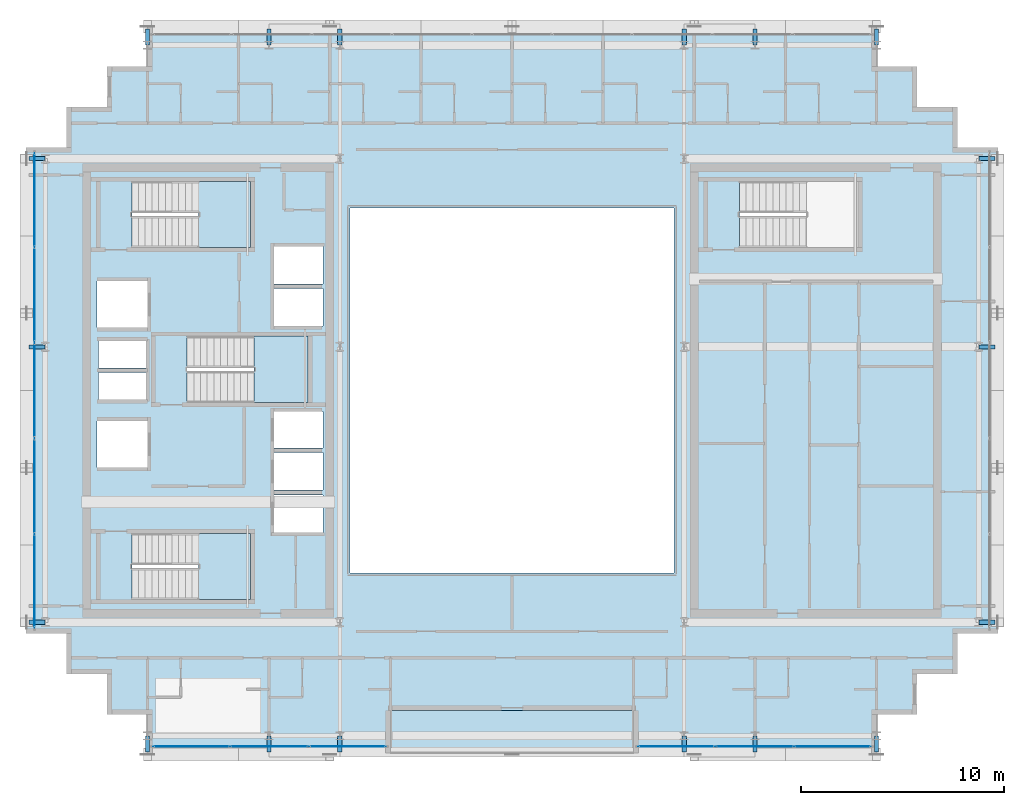
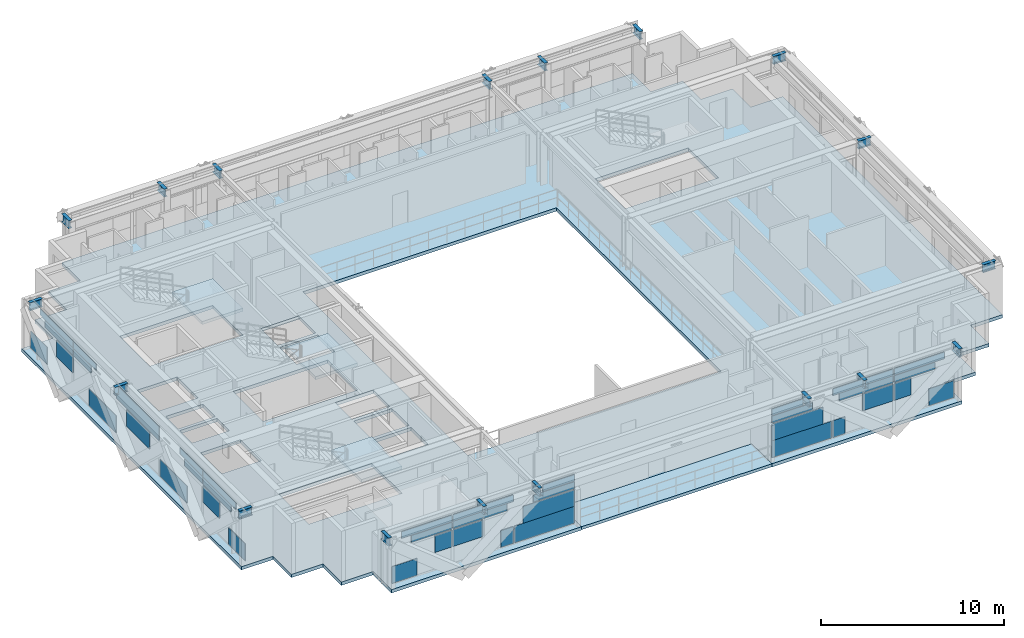
# One storey, part 16 of 28: 40 plates, 18 beams, 5 slabs, 6 elements without a shape of their own.
"""IFC4 building model written with IfcOpenShell, lengths in metres."""

from ifc_helpers import new_model, si_unit, direction, frame, origin, origin_2d, place, context, subcontext, project, spatial, polyline, rectangle, i_section, outline, extrude, source, transform, mapped, material, layer, layer_set, material_profile, profile_set, type_object, element, aggregate, save


model = new_model("IFC4")

# Units and contexts
model_context = context("Model", 3, precision=1e-05, world=origin(), true_north=direction((0.0, 1.0)))
body_context = subcontext(model_context, "Body", "Model", "MODEL_VIEW")
ifc_project = project(units=[si_unit("LENGTHUNIT", "METRE"), si_unit("AREAUNIT", "SQUARE_METRE"), si_unit("VOLUMEUNIT", "CUBIC_METRE"), si_unit("PLANEANGLEUNIT", "RADIAN"), si_unit("MASSUNIT", "GRAM", prefix="KILO")], contexts=[model_context])

# Site, building, storey
site_placement = place(None, origin())
site = spatial("IfcSite", under=ifc_project, at=site_placement, CompositionType="ELEMENT")
building_placement = place(site_placement, origin())
building = spatial("IfcBuilding", under=site, at=building_placement, Name="Ocotamira Hotel", CompositionType="ELEMENT")
storey_placement = place(building_placement, frame((0.0, 0.0, 240.0)))
storey = spatial("IfcBuildingStorey", under=building, at=storey_placement, Name="L60", CompositionType="ELEMENT", Elevation=240.0)

# Beams
ifc_material_1 = material(Name="Steel ASTM A992 Grade 50", Category="steel")
ifc_material_profile = material_profile(ifc_material_1, i_section(OverallWidth=0.2099609375, OverallDepth=0.537109375, WebThickness=0.010986328125, FlangeThickness=0.017333984375, FilletRadius=0.012939453125, at=origin_2d()), Name="W21X68")
ifc_profile_set = profile_set([ifc_material_profile], Name="Steel ASTM A992 Grade 50")
beam_type = type_object("IfcBeamType", Name="BM-SEC-W21X68", PredefinedType="JOIST", material=ifc_profile_set)
shared_shape_1 = source(origin(), body_context, "Body", "SweptSolid", [
    extrude(i_section(OverallWidth=0.2099609375, OverallDepth=0.537109375, WebThickness=0.010986328125, FlangeThickness=0.017333984375, FilletRadius=0.012939453125, at=origin_2d()), origin(), (0.0, 0.0, 1.0), 0.800048828125),
])
for number, where, z_axis, x_axis, name in (
    (1, (14.0, 8.949951171875, 3.111572265625), (0.0, -1.0, 0.0), (1.0, 0.0, 0.0), "L60 South Edge Header X14"),
    (2, (14.0, 43.050048828125, 3.111572265625), (0.0, 1.0, 0.0), (-1.0, 0.0, 0.0), "L60 North Edge Header X14"),
    (3, (20.0, 8.949951171875, 3.111572265625), (0.0, -1.0, 0.0), (1.0, 0.0, 0.0), "L60 South Edge Header X20"),
    (4, (20.0, 43.050048828125, 3.111572265625), (0.0, 1.0, 0.0), (-1.0, 0.0, 0.0), "L60 North Edge Header X20"),
    (5, (23.5, 8.949951171875, 3.111572265625), (0.0, -1.0, 0.0), (1.0, 0.0, 0.0), "L60 South Edge Header X23.5"),
    (6, (23.5, 43.050048828125, 3.111572265625), (0.0, 1.0, 0.0), (-1.0, 0.0, 0.0), "L60 North Edge Header X23.5"),
    (7, (40.5, 8.949951171875, 3.111572265625), (0.0, -1.0, 0.0), (1.0, 0.0, 0.0), "L60 South Edge Header X40.5"),
    (8, (40.5, 43.050048828125, 3.111572265625), (0.0, 1.0, 0.0), (-1.0, 0.0, 0.0), "L60 North Edge Header X40.5"),
    (9, (44.0, 8.949951171875, 3.111572265625), (0.0, -1.0, 0.0), (1.0, 0.0, 0.0), "L60 South Edge Header X44"),
    (10, (44.0, 43.050048828125, 3.111572265625), (0.0, 1.0, 0.0), (-1.0, 0.0, 0.0), "L60 North Edge Header X44"),
    (11, (50.0, 8.949951171875, 3.111572265625), (0.0, -1.0, 0.0), (1.0, 0.0, 0.0), "L60 South Edge Header X50"),
    (12, (50.0, 43.050048828125, 3.111572265625), (0.0, 1.0, 0.0), (-1.0, 0.0, 0.0), "L60 North Edge Header X50"),
    (13, (8.949951171875, 14.550048828125, 3.111572265625), (-1.0, 0.0, 0.0), (0.0, -1.0, 0.0), "L60 West Edge Header Y14.55"),
    (14, (55.050048828125, 14.550048828125, 3.111572265625), (1.0, 0.0, 0.0), (0.0, 1.0, 0.0), "L60 East Edge Header Y14.55"),
    (15, (8.949951171875, 28.14990234375, 3.111572265625), (-1.0, 0.0, 0.0), (0.0, -1.0, 0.0), "L60 West Edge Header Y28.15"),
    (16, (55.050048828125, 28.14990234375, 3.111572265625), (1.0, 0.0, 0.0), (0.0, 1.0, 0.0), "L60 East Edge Header Y28.15"),
    (17, (8.949951171875, 37.449951171875, 3.111572265625), (-1.0, 0.0, 0.0), (0.0, -1.0, 0.0), "L60 West Edge Header Y37.45"),
    (18, (55.050048828125, 37.449951171875, 3.111572265625), (1.0, 0.0, 0.0), (0.0, 1.0, 0.0), "L60 East Edge Header Y37.45"),
):
    element("IfcBeam", number, at=place(storey_placement, frame(where, z_axis=z_axis, x_axis=x_axis)), inside=storey, type_object=beam_type, Name=name, PredefinedType="JOIST", context=body_context, shape_type="MappedRepresentation", body=[
        mapped(shared_shape_1, transform((0.0, 0.0, 0.0), scale=1.0)),
    ])

# Slab
ifc_material_2 = material(Name="Concrete C40/50", Category="concrete")
ifc_layer_1 = layer(ifc_material_2, 0.199951171875)
ifc_layer_set_1 = layer_set([ifc_layer_1], Name="Concrete C40/50")
slab_type_1 = type_object("IfcSlabType", Name="SLB-BAL-200", PredefinedType="FLOOR", material=ifc_layer_set_1)
slab_1_placement = place(storey_placement, frame((0.0, 0.0, -0.199951171875)))
element("IfcSlab", 19, at=slab_1_placement, inside=storey, type_object=slab_type_1, Name="L60 Outdoor Sky Terrace Slab 1", PredefinedType="FLOOR", context=body_context, shape_type="SweptSolid", body=[
    extrude(outline(polyline([(26.0, 8.0), (38.0, 8.0), (38.0, 10.199951171875), (26.0, 10.199951171875), (26.0, 8.0)])), origin(), (0.0, 0.0, 1.0), 0.199951171875),
])

# Stair, slab
stair_type = type_object("IfcStairType", Name="ST-CORE-1560", PredefinedType="HALF_TURN_STAIR", material=ifc_material_2)
stair_1_placement = place(storey_placement, origin())
stair_1 = element("IfcStair", 20, at=stair_1_placement, inside=storey, type_object=stair_type, Name="L60 Exit Stair ST-1", PredefinedType="HALF_TURN_STAIR")
ifc_layer_2 = layer(ifc_material_2, 0.199951171875)
ifc_layer_set_2 = layer_set([ifc_layer_2], Name="Concrete C40/50")
slab_type_2 = type_object("IfcSlabType", Name="SLB-LAND-200", PredefinedType="LANDING", material=ifc_layer_set_2)
slab_2_placement = place(storey_placement, frame((0.0, 0.0, 1.60009765625)))
slab_2 = element("IfcSlab", 21, at=slab_2_placement, type_object=slab_type_2, Name="ST-1 landing 1", PredefinedType="LANDING", context=body_context, shape_type="SweptSolid", body=[
    extrude(outline(polyline([(16.530029296875, 15.669921875), (19.090087890625, 15.669921875), (19.090087890625, 18.949951171875), (16.530029296875, 18.949951171875), (16.530029296875, 15.669921875)])), origin(), (0.0, 0.0, 1.0), 0.199951171875),
])
aggregate(stair_1, [slab_2])

stair_2_placement = place(storey_placement, origin())
stair_2 = element("IfcStair", 22, at=stair_2_placement, inside=storey, type_object=stair_type, Name="L60 Exit Stair ST-2", PredefinedType="HALF_TURN_STAIR")
slab_3_placement = place(storey_placement, frame((0.0, 0.0, 1.60009765625)))
slab_3 = element("IfcSlab", 23, at=slab_3_placement, type_object=slab_type_2, Name="ST-2 landing 1", PredefinedType="LANDING", context=body_context, shape_type="SweptSolid", body=[
    extrude(outline(polyline([(16.530029296875, 33.050048828125), (19.090087890625, 33.050048828125), (19.090087890625, 36.330078125), (16.530029296875, 36.330078125), (16.530029296875, 33.050048828125)])), origin(), (0.0, 0.0, 1.0), 0.199951171875),
])
aggregate(stair_2, [slab_3])

stair_3_placement = place(storey_placement, origin())
stair_3 = element("IfcStair", 24, at=stair_3_placement, inside=storey, type_object=stair_type, Name="L60 Exit Stair ST-3", PredefinedType="HALF_TURN_STAIR")
slab_4_placement = place(storey_placement, frame((0.0, 0.0, 1.60009765625)))
slab_4 = element("IfcSlab", 25, at=slab_4_placement, type_object=slab_type_2, Name="ST-3 landing 1", PredefinedType="LANDING", context=body_context, shape_type="SweptSolid", body=[
    extrude(outline(polyline([(19.260009765625, 25.39990234375), (21.919921875, 25.39990234375), (21.919921875, 28.679931640625), (19.260009765625, 28.679931640625), (19.260009765625, 25.39990234375)])), origin(), (0.0, 0.0, 1.0), 0.199951171875),
])
aggregate(stair_3, [slab_4])

# Slab
ifc_layer_3 = layer(ifc_material_2, 0.219970703125)
ifc_layer_set_3 = layer_set([ifc_layer_3], Name="Concrete C40/50")
slab_type_3 = type_object("IfcSlabType", Name="SLB-UPP-220", PredefinedType="FLOOR", material=ifc_layer_set_3)
slab_5_placement = place(storey_placement, frame((0.0, 0.0, -0.219970703125)))
element("IfcSlab", 26, at=slab_5_placement, inside=storey, type_object=slab_type_3, Name="L60 Structural Floor Slab", PredefinedType="FLOOR", context=body_context, shape_type="SweptSolid", body=[
    extrude(outline(polyline([(14.0, 8.0), (14.0, 10.0), (12.0, 10.0), (12.0, 12.0), (10.0, 12.0), (10.0, 14.0), (8.0, 14.0), (8.0, 38.0), (10.0, 38.0), (10.0, 40.0), (12.0, 40.0), (12.0, 42.0), (14.0, 42.0), (14.0, 44.0), (50.0, 44.0), (50.0, 42.0), (52.0, 42.0), (52.0, 40.0), (54.0, 40.0), (54.0, 38.0), (56.0, 38.0), (56.0, 14.0), (54.0, 14.0), (54.0, 12.0), (52.0, 12.0), (52.0, 10.0), (50.0, 10.0), (50.0, 8.0), (38.0, 8.0), (38.0, 10.199951171875), (26.0, 10.199951171875), (26.0, 8.0), (14.0, 8.0)]), holes=[polyline([(24.0, 17.0), (40.0, 17.0), (40.0, 35.0), (24.0, 35.0), (24.0, 17.0)]), polyline([(13.22998046875, 15.669921875), (19.090087890625, 15.669921875), (19.090087890625, 18.949951171875), (13.22998046875, 18.949951171875), (13.22998046875, 15.669921875)]), polyline([(13.22998046875, 33.050048828125), (19.090087890625, 33.050048828125), (19.090087890625, 36.330078125), (13.22998046875, 36.330078125), (13.22998046875, 33.050048828125)]), polyline([(15.9599609375, 25.39990234375), (21.919921875, 25.39990234375), (21.919921875, 28.679931640625), (15.9599609375, 28.679931640625), (15.9599609375, 25.39990234375)]), polyline([(43.22998046875, 33.050048828125), (49.090087890625, 33.050048828125), (49.090087890625, 36.330078125), (43.22998046875, 36.330078125), (43.22998046875, 33.050048828125)]), polyline([(20.25, 19.0), (22.659912109375, 19.0), (22.659912109375, 20.85009765625), (20.25, 20.85009765625), (20.25, 19.0)]), polyline([(20.25, 21.080078125), (22.659912109375, 21.080078125), (22.659912109375, 22.929931640625), (20.25, 22.929931640625), (20.25, 21.080078125)]), polyline([(20.25, 23.159912109375), (22.659912109375, 23.159912109375), (22.659912109375, 24.9599609375), (20.25, 24.9599609375), (20.25, 23.159912109375)]), polyline([(20.25, 29.179931640625), (22.659912109375, 29.179931640625), (22.659912109375, 31.030029296875), (20.25, 31.030029296875), (20.25, 29.179931640625)]), polyline([(20.25, 31.260009765625), (22.659912109375, 31.260009765625), (22.659912109375, 33.110107421875), (20.25, 33.110107421875), (20.25, 31.260009765625)]), polyline([(11.5, 22.199951171875), (14.0, 22.199951171875), (14.0, 24.5), (11.5, 24.5), (11.5, 22.199951171875)]), polyline([(11.5, 29.10009765625), (14.0, 29.10009765625), (14.0, 31.39990234375), (11.5, 31.39990234375), (11.5, 29.10009765625)]), polyline([(11.580078125, 25.550048828125), (13.919921875, 25.550048828125), (13.919921875, 26.89990234375), (11.580078125, 26.89990234375), (11.580078125, 25.550048828125)]), polyline([(11.580078125, 27.10009765625), (13.919921875, 27.10009765625), (13.919921875, 28.449951171875), (11.580078125, 28.449951171875), (11.580078125, 27.10009765625)])]), origin(), (0.0, 0.0, 1.0), 0.219970703125),
])

# Curtain wall, plate
ifc_material_3 = material(Name="Anodised pale-metal aluminium and solar glass", Category="aluminium")
ifc_layer_4 = layer(ifc_material_3, 0.239990234375)
ifc_layer_set_4 = layer_set([ifc_layer_4], Name="Anodised pale-metal aluminium and solar glass")
curtain_wall_type = type_object("IfcCurtainWallType", Name="CW-SYS5-SKY", PredefinedType="NOTDEFINED", material=ifc_layer_set_4)
curtain_wall_1_placement = place(storey_placement, origin())
curtain_wall_1 = element("IfcCurtainWall", 27, at=curtain_wall_1_placement, inside=storey, type_object=curtain_wall_type, Name="L60 Curtain Wall CW-5 CW-L60-S1", PredefinedType="NOTDEFINED")
ifc_material_4 = material(Name="Double-silver low-E insulated solar glass", Category="glass")
ifc_layer_5 = layer(ifc_material_4, 0.031982421875)
ifc_layer_set_5 = layer_set([ifc_layer_5], Name="Double-silver low-E insulated solar glass")
plate_type = type_object("IfcPlateType", Name="CWP-VISION-32", PredefinedType="CURTAIN_PANEL", material=ifc_layer_set_5)
shared_shape_2 = source(origin(), body_context, "Body", "SweptSolid", [
    extrude(rectangle(XDim=3.76318359375, YDim=0.031982421875, at=origin_2d()), origin(), (0.0, 0.0, 1.0), 1.118896484375),
])
plate_1_placement = place(storey_placement, frame((23.88818359375, 8.419921875, 0.0751953125), z_axis=(0.0, 0.0, 1.0), x_axis=(1.0, 0.0, 0.0)))
plate_1 = element("IfcPlate", 28, at=plate_1_placement, type_object=plate_type, Name="CW-5 panel 3.1.1", PredefinedType="CURTAIN_PANEL", context=body_context, shape_type="MappedRepresentation", body=[
    mapped(shared_shape_2, transform((0.0, 0.0, 0.0), scale=1.0)),
])

curtain_wall_2_placement = place(storey_placement, origin())
curtain_wall_2 = element("IfcCurtainWall", 29, at=curtain_wall_2_placement, inside=storey, type_object=curtain_wall_type, Name="L60 Curtain Wall CW-5 CW-L60-S2", PredefinedType="NOTDEFINED")
plate_2_placement = place(storey_placement, frame((40.11181640625, 8.419921875, 0.0751953125), z_axis=(0.0, 0.0, 1.0), x_axis=(1.0, 0.0, 0.0)))
plate_2 = element("IfcPlate", 30, at=plate_2_placement, type_object=plate_type, Name="CW-5 panel 1.1.1", PredefinedType="CURTAIN_PANEL", context=body_context, shape_type="MappedRepresentation", body=[
    mapped(shared_shape_2, transform((0.0, 0.0, 0.0), scale=1.0)),
])

# Plate
shared_shape_3 = source(origin(), body_context, "Body", "SweptSolid", [
    extrude(rectangle(XDim=3.160888671875, YDim=0.031982421875, at=origin_2d()), origin(), (0.0, 0.0, 1.0), 0.4326171875),
])
plate_3_placement = place(storey_placement, frame((16.462890625, 8.419921875, 2.872314453125), z_axis=(0.0, 0.0, 1.0), x_axis=(1.0, 0.0, 0.0)))
plate_3 = element("IfcPlate", 31, at=plate_3_placement, type_object=plate_type, Name="CW-5 panel 1.2.1", PredefinedType="CURTAIN_PANEL", context=body_context, shape_type="MappedRepresentation", body=[
    mapped(shared_shape_3, transform((0.0, 0.0, 0.0), scale=1.0)),
])

plate_4_placement = place(storey_placement, frame((47.537109375, 8.419921875, 2.872314453125), z_axis=(0.0, 0.0, 1.0), x_axis=(1.0, 0.0, 0.0)))
plate_4 = element("IfcPlate", 32, at=plate_4_placement, type_object=plate_type, Name="CW-5 panel 3.2.2", PredefinedType="CURTAIN_PANEL", context=body_context, shape_type="MappedRepresentation", body=[
    mapped(shared_shape_3, transform((0.0, 0.0, 0.0), scale=1.0)),
])

shared_shape_4 = source(origin(), body_context, "Body", "SweptSolid", [
    extrude(rectangle(XDim=3.80322265625, YDim=0.031982421875, at=origin_2d()), origin(), (0.0, 0.0, 1.0), 0.4326171875),
])
plate_5_placement = place(storey_placement, frame((20.02490234375, 8.419921875, 2.872314453125), z_axis=(0.0, 0.0, 1.0), x_axis=(1.0, 0.0, 0.0)))
plate_5 = element("IfcPlate", 33, at=plate_5_placement, type_object=plate_type, Name="CW-5 panel 2.2.2", PredefinedType="CURTAIN_PANEL", context=body_context, shape_type="MappedRepresentation", body=[
    mapped(shared_shape_4, transform((0.0, 0.0, 0.0), scale=1.0)),
])

plate_6_placement = place(storey_placement, frame((43.97509765625, 8.419921875, 2.872314453125), z_axis=(0.0, 0.0, 1.0), x_axis=(1.0, 0.0, 0.0)))
plate_6 = element("IfcPlate", 34, at=plate_6_placement, type_object=plate_type, Name="CW-5 panel 2.2.1", PredefinedType="CURTAIN_PANEL", context=body_context, shape_type="MappedRepresentation", body=[
    mapped(shared_shape_4, transform((0.0, 0.0, 0.0), scale=1.0)),
])

shared_shape_5 = source(origin(), body_context, "Body", "SweptSolid", [
    extrude(rectangle(XDim=1.580078125, YDim=0.031982421875, at=origin_2d()), origin(), (0.0, 0.0, 1.0), 1.118896484375),
])
plate_7_placement = place(storey_placement, frame((15.070068359375, 8.419921875, 0.0751953125), z_axis=(0.0, 0.0, 1.0), x_axis=(1.0, 0.0, 0.0)))
plate_7 = element("IfcPlate", 35, at=plate_7_placement, type_object=plate_type, Name="CW-5 panel 1.1.1", PredefinedType="CURTAIN_PANEL", context=body_context, shape_type="MappedRepresentation", body=[
    mapped(shared_shape_5, transform((0.0, 0.0, 0.0), scale=1.0)),
])

plate_8_placement = place(storey_placement, frame((48.929931640625, 8.419921875, 0.0751953125), z_axis=(0.0, 0.0, 1.0), x_axis=(1.0, 0.0, 0.0)))
plate_8 = element("IfcPlate", 36, at=plate_8_placement, type_object=plate_type, Name="CW-5 panel 3.1.2", PredefinedType="CURTAIN_PANEL", context=body_context, shape_type="MappedRepresentation", body=[
    mapped(shared_shape_5, transform((0.0, 0.0, 0.0), scale=1.0)),
])

# Curtain wall, plates
curtain_wall_3_placement = place(storey_placement, origin())
curtain_wall_3 = element("IfcCurtainWall", 37, at=curtain_wall_3_placement, inside=storey, type_object=curtain_wall_type, Name="L60 Curtain Wall CW-5 CW-L60-W", PredefinedType="NOTDEFINED")
shared_shape_6 = source(origin(), body_context, "Body", "SweptSolid", [
    extrude(rectangle(XDim=1.812744140625, YDim=0.031982421875, at=origin_2d()), origin(), (0.0, 0.0, 1.0), 1.118896484375),
])
plate_9_placement = place(storey_placement, frame((8.419921875, 15.186279296875, 0.0751953125), z_axis=(0.0, 0.0, 1.0), x_axis=(0.0, 1.0, 0.0)))
plate_9 = element("IfcPlate", 38, at=plate_9_placement, type_object=plate_type, Name="CW-5 panel 1.1.1", PredefinedType="CURTAIN_PANEL", context=body_context, shape_type="MappedRepresentation", body=[
    mapped(shared_shape_6, transform((0.0, 0.0, 0.0), scale=1.0)),
])
plate_10_placement = place(storey_placement, frame((8.419921875, 36.813720703125, 0.0751953125), z_axis=(0.0, 0.0, 1.0), x_axis=(0.0, 1.0, 0.0)))
plate_10 = element("IfcPlate", 39, at=plate_10_placement, type_object=plate_type, Name="CW-5 panel 5.1.2", PredefinedType="CURTAIN_PANEL", context=body_context, shape_type="MappedRepresentation", body=[
    mapped(shared_shape_6, transform((0.0, 0.0, 0.0), scale=1.0)),
])
shared_shape_7 = source(origin(), body_context, "Body", "SweptSolid", [
    extrude(rectangle(XDim=1.76708984375, YDim=0.031982421875, at=origin_2d()), origin(), (0.0, 0.0, 1.0), 1.118896484375),
])
plate_11_placement = place(storey_placement, frame((8.419921875, 17.996337890625, 1.19384765625), z_axis=(0.0, 0.0, 1.0), x_axis=(0.0, 1.0, 0.0)))
plate_11 = element("IfcPlate", 40, at=plate_11_placement, type_object=plate_type, Name="CW-5 panel 1.1.2", PredefinedType="CURTAIN_PANEL", context=body_context, shape_type="MappedRepresentation", body=[
    mapped(shared_shape_7, transform((0.0, 0.0, 0.0), scale=1.0)),
])
plate_12_placement = place(storey_placement, frame((8.419921875, 34.003662109375, 1.19384765625), z_axis=(0.0, 0.0, 1.0), x_axis=(0.0, 1.0, 0.0)))
plate_12 = element("IfcPlate", 41, at=plate_12_placement, type_object=plate_type, Name="CW-5 panel 5.1.1", PredefinedType="CURTAIN_PANEL", context=body_context, shape_type="MappedRepresentation", body=[
    mapped(shared_shape_7, transform((0.0, 0.0, 0.0), scale=1.0)),
])
shared_shape_8 = source(origin(), body_context, "Body", "SweptSolid", [
    extrude(rectangle(XDim=3.568115234375, YDim=0.031982421875, at=origin_2d()), origin(), (0.0, 0.0, 1.0), 0.41259765625),
])
plate_13_placement = place(storey_placement, frame((8.419921875, 17.095947265625, 2.892578125), z_axis=(0.0, 0.0, 1.0), x_axis=(0.0, 1.0, 0.0)))
plate_13 = element("IfcPlate", 42, at=plate_13_placement, type_object=plate_type, Name="CW-5 panel 1.2.1", PredefinedType="CURTAIN_PANEL", context=body_context, shape_type="MappedRepresentation", body=[
    mapped(shared_shape_8, transform((0.0, 0.0, 0.0), scale=1.0)),
])
plate_14_placement = place(storey_placement, frame((8.419921875, 34.904052734375, 2.892578125), z_axis=(0.0, 0.0, 1.0), x_axis=(0.0, 1.0, 0.0)))
plate_14 = element("IfcPlate", 43, at=plate_14_placement, type_object=plate_type, Name="CW-5 panel 5.2.2", PredefinedType="CURTAIN_PANEL", context=body_context, shape_type="MappedRepresentation", body=[
    mapped(shared_shape_8, transform((0.0, 0.0, 0.0), scale=1.0)),
])
shared_shape_9 = source(origin(), body_context, "Body", "SweptSolid", [
    extrude(rectangle(XDim=2.95947265625, YDim=0.031982421875, at=origin_2d()), origin(), (0.0, 0.0, 1.0), 1.118896484375),
])
plate_15_placement = place(storey_placement, frame((8.419921875, 22.120361328125, 0.0751953125), z_axis=(0.0, 0.0, 1.0), x_axis=(0.0, 1.0, 0.0)))
plate_15 = element("IfcPlate", 44, at=plate_15_placement, type_object=plate_type, Name="CW-5 panel 2.1.1", PredefinedType="CURTAIN_PANEL", context=body_context, shape_type="MappedRepresentation", body=[
    mapped(shared_shape_9, transform((0.0, 0.0, 0.0), scale=1.0)),
])
plate_16_placement = place(storey_placement, frame((8.419921875, 29.879638671875, 0.0751953125), z_axis=(0.0, 0.0, 1.0), x_axis=(0.0, 1.0, 0.0)))
plate_16 = element("IfcPlate", 45, at=plate_16_placement, type_object=plate_type, Name="CW-5 panel 4.1.1", PredefinedType="CURTAIN_PANEL", context=body_context, shape_type="MappedRepresentation", body=[
    mapped(shared_shape_9, transform((0.0, 0.0, 0.0), scale=1.0)),
])
shared_shape_10 = source(origin(), body_context, "Body", "SweptSolid", [
    extrude(rectangle(XDim=2.46142578125, YDim=0.031982421875, at=origin_2d()), origin(), (0.0, 0.0, 1.0), 0.41259765625),
])
plate_17_placement = place(storey_placement, frame((8.419921875, 20.190673828125, 2.892578125), z_axis=(0.0, 0.0, 1.0), x_axis=(0.0, 1.0, 0.0)))
plate_17 = element("IfcPlate", 46, at=plate_17_placement, type_object=plate_type, Name="CW-5 panel 2.2.2", PredefinedType="CURTAIN_PANEL", context=body_context, shape_type="MappedRepresentation", body=[
    mapped(shared_shape_10, transform((0.0, 0.0, 0.0), scale=1.0)),
])
plate_18_placement = place(storey_placement, frame((8.419921875, 31.809326171875, 2.892578125), z_axis=(0.0, 0.0, 1.0), x_axis=(0.0, 1.0, 0.0)))
plate_18 = element("IfcPlate", 47, at=plate_18_placement, type_object=plate_type, Name="CW-5 panel 4.2.1", PredefinedType="CURTAIN_PANEL", context=body_context, shape_type="MappedRepresentation", body=[
    mapped(shared_shape_10, transform((0.0, 0.0, 0.0), scale=1.0)),
])
shared_shape_11 = source(origin(), body_context, "Body", "SweptSolid", [
    extrude(rectangle(XDim=2.507568359375, YDim=0.031982421875, at=origin_2d()), origin(), (0.0, 0.0, 1.0), 1.118896484375),
])
plate_19_placement = place(storey_placement, frame((8.419921875, 26.0, 1.19384765625), z_axis=(0.0, 0.0, 1.0), x_axis=(0.0, 1.0, 0.0)))
plate_19 = element("IfcPlate", 48, at=plate_19_placement, type_object=plate_type, Name="CW-5 panel 3.1.1", PredefinedType="CURTAIN_PANEL", context=body_context, shape_type="MappedRepresentation", body=[
    mapped(shared_shape_11, transform((0.0, 0.0, 0.0), scale=1.0)),
])
shared_shape_12 = source(origin(), body_context, "Body", "SweptSolid", [
    extrude(rectangle(XDim=4.639892578125, YDim=0.031982421875, at=origin_2d()), origin(), (0.0, 0.0, 1.0), 0.91748046875),
])
plate_20_placement = place(storey_placement, frame((8.419921875, 26.0, 2.387451171875), z_axis=(0.0, 0.0, 1.0), x_axis=(0.0, 1.0, 0.0)))
plate_20 = element("IfcPlate", 49, at=plate_20_placement, type_object=plate_type, Name="CW-5 panel 3.2", PredefinedType="CURTAIN_PANEL", context=body_context, shape_type="MappedRepresentation", body=[
    mapped(shared_shape_12, transform((0.0, 0.0, 0.0), scale=1.0)),
])

# Plate
shared_shape_13 = source(origin(), body_context, "Body", "SweptSolid", [
    extrude(rectangle(XDim=1.062744140625, YDim=0.031982421875, at=origin_2d()), origin(), (0.0, 0.0, 1.0), 1.118896484375),
])
plate_21_placement = place(storey_placement, frame((17.511962890625, 8.419921875, 1.19384765625), z_axis=(0.0, 0.0, 1.0), x_axis=(1.0, 0.0, 0.0)))
plate_21 = element("IfcPlate", 50, at=plate_21_placement, type_object=plate_type, Name="CW-5 panel 1.1.2", PredefinedType="CURTAIN_PANEL", context=body_context, shape_type="MappedRepresentation", body=[
    mapped(shared_shape_13, transform((0.0, 0.0, 0.0), scale=1.0)),
])

plate_22_placement = place(storey_placement, frame((46.488037109375, 8.419921875, 1.19384765625), z_axis=(0.0, 0.0, 1.0), x_axis=(1.0, 0.0, 0.0)))
plate_22 = element("IfcPlate", 51, at=plate_22_placement, type_object=plate_type, Name="CW-5 panel 3.1.1", PredefinedType="CURTAIN_PANEL", context=body_context, shape_type="MappedRepresentation", body=[
    mapped(shared_shape_13, transform((0.0, 0.0, 0.0), scale=1.0)),
])

shared_shape_14 = source(origin(), body_context, "Body", "SweptSolid", [
    extrude(rectangle(XDim=2.554931640625, YDim=0.031982421875, at=origin_2d()), origin(), (0.0, 0.0, 1.0), 0.450927734375),
])
plate_23_placement = place(storey_placement, frame((16.765869140625, 8.419921875, 2.38720703125), z_axis=(0.0, 0.0, 1.0), x_axis=(1.0, 0.0, 0.0)))
plate_23 = element("IfcPlate", 52, at=plate_23_placement, type_object=plate_type, Name="CW-5 panel 1.2.2", PredefinedType="CURTAIN_PANEL", context=body_context, shape_type="MappedRepresentation", body=[
    mapped(shared_shape_14, transform((0.0, 0.0, 0.0), scale=1.0)),
])

plate_24_placement = place(storey_placement, frame((47.234130859375, 8.419921875, 2.38720703125), z_axis=(0.0, 0.0, 1.0), x_axis=(1.0, 0.0, 0.0)))
plate_24 = element("IfcPlate", 53, at=plate_24_placement, type_object=plate_type, Name="CW-5 panel 3.2.1", PredefinedType="CURTAIN_PANEL", context=body_context, shape_type="MappedRepresentation", body=[
    mapped(shared_shape_14, transform((0.0, 0.0, 0.0), scale=1.0)),
])

shared_shape_15 = source(origin(), body_context, "Body", "SweptSolid", [
    extrude(rectangle(XDim=1.89599609375, YDim=0.031982421875, at=origin_2d()), origin(), (0.0, 0.0, 1.0), 1.118896484375),
])
plate_25_placement = place(storey_placement, frame((19.0712890625, 8.419921875, 1.19384765625), z_axis=(0.0, 0.0, 1.0), x_axis=(1.0, 0.0, 0.0)))
plate_25 = element("IfcPlate", 54, at=plate_25_placement, type_object=plate_type, Name="CW-5 panel 2.1.1", PredefinedType="CURTAIN_PANEL", context=body_context, shape_type="MappedRepresentation", body=[
    mapped(shared_shape_15, transform((0.0, 0.0, 0.0), scale=1.0)),
])

plate_26_placement = place(storey_placement, frame((44.9287109375, 8.419921875, 1.19384765625), z_axis=(0.0, 0.0, 1.0), x_axis=(1.0, 0.0, 0.0)))
plate_26 = element("IfcPlate", 55, at=plate_26_placement, type_object=plate_type, Name="CW-5 panel 2.1.2", PredefinedType="CURTAIN_PANEL", context=body_context, shape_type="MappedRepresentation", body=[
    mapped(shared_shape_15, transform((0.0, 0.0, 0.0), scale=1.0)),
])

shared_shape_16 = source(origin(), body_context, "Body", "SweptSolid", [
    extrude(rectangle(XDim=0.78662109375, YDim=0.031982421875, at=origin_2d()), origin(), (0.0, 0.0, 1.0), 1.118896484375),
])
plate_27_placement = place(storey_placement, frame((21.533203125, 8.419921875, 0.0751953125), z_axis=(0.0, 0.0, 1.0), x_axis=(1.0, 0.0, 0.0)))
plate_27 = element("IfcPlate", 56, at=plate_27_placement, type_object=plate_type, Name="CW-5 panel 2.1.2", PredefinedType="CURTAIN_PANEL", context=body_context, shape_type="MappedRepresentation", body=[
    mapped(shared_shape_16, transform((0.0, 0.0, 0.0), scale=1.0)),
])

plate_28_placement = place(storey_placement, frame((42.466796875, 8.419921875, 0.0751953125), z_axis=(0.0, 0.0, 1.0), x_axis=(1.0, 0.0, 0.0)))
plate_28 = element("IfcPlate", 57, at=plate_28_placement, type_object=plate_type, Name="CW-5 panel 2.1.1", PredefinedType="CURTAIN_PANEL", context=body_context, shape_type="MappedRepresentation", body=[
    mapped(shared_shape_16, transform((0.0, 0.0, 0.0), scale=1.0)),
])

shared_shape_17 = source(origin(), body_context, "Body", "SweptSolid", [
    extrude(rectangle(XDim=3.38818359375, YDim=0.031982421875, at=origin_2d()), origin(), (0.0, 0.0, 1.0), 0.48486328125),
])
plate_29_placement = place(storey_placement, frame((19.8173828125, 8.419921875, 2.387451171875), z_axis=(0.0, 0.0, 1.0), x_axis=(1.0, 0.0, 0.0)))
plate_29 = element("IfcPlate", 58, at=plate_29_placement, type_object=plate_type, Name="CW-5 panel 2.2.1", PredefinedType="CURTAIN_PANEL", context=body_context, shape_type="MappedRepresentation", body=[
    mapped(shared_shape_17, transform((0.0, 0.0, 0.0), scale=1.0)),
])

plate_30_placement = place(storey_placement, frame((44.1826171875, 8.419921875, 2.387451171875), z_axis=(0.0, 0.0, 1.0), x_axis=(1.0, 0.0, 0.0)))
plate_30 = element("IfcPlate", 59, at=plate_30_placement, type_object=plate_type, Name="CW-5 panel 2.2.2", PredefinedType="CURTAIN_PANEL", context=body_context, shape_type="MappedRepresentation", body=[
    mapped(shared_shape_17, transform((0.0, 0.0, 0.0), scale=1.0)),
])

shared_shape_18 = source(origin(), body_context, "Body", "SweptSolid", [
    extrude(rectangle(XDim=3.231689453125, YDim=0.031982421875, at=origin_2d()), origin(), (0.0, 0.0, 1.0), 1.118896484375),
])
plate_31_placement = place(storey_placement, frame((24.154296875, 8.419921875, 1.19384765625), z_axis=(0.0, 0.0, 1.0), x_axis=(1.0, 0.0, 0.0)))
plate_31 = element("IfcPlate", 60, at=plate_31_placement, type_object=plate_type, Name="CW-5 panel 3.1.2", PredefinedType="CURTAIN_PANEL", context=body_context, shape_type="MappedRepresentation", body=[
    mapped(shared_shape_18, transform((0.0, 0.0, 0.0), scale=1.0)),
])

plate_32_placement = place(storey_placement, frame((39.845703125, 8.419921875, 1.19384765625), z_axis=(0.0, 0.0, 1.0), x_axis=(1.0, 0.0, 0.0)))
plate_32 = element("IfcPlate", 61, at=plate_32_placement, type_object=plate_type, Name="CW-5 panel 1.1.2", PredefinedType="CURTAIN_PANEL", context=body_context, shape_type="MappedRepresentation", body=[
    mapped(shared_shape_18, transform((0.0, 0.0, 0.0), scale=1.0)),
])

shared_shape_19 = source(origin(), body_context, "Body", "SweptSolid", [
    extrude(rectangle(XDim=2.57421875, YDim=0.031982421875, at=origin_2d()), origin(), (0.0, 0.0, 1.0), 0.450927734375),
])
plate_33_placement = place(storey_placement, frame((24.48291015625, 8.419921875, 2.38720703125), z_axis=(0.0, 0.0, 1.0), x_axis=(1.0, 0.0, 0.0)))
plate_33 = element("IfcPlate", 62, at=plate_33_placement, type_object=plate_type, Name="CW-5 panel 3.2.1", PredefinedType="CURTAIN_PANEL", context=body_context, shape_type="MappedRepresentation", body=[
    mapped(shared_shape_19, transform((0.0, 0.0, 0.0), scale=1.0)),
])

plate_34_placement = place(storey_placement, frame((39.51708984375, 8.419921875, 2.38720703125), z_axis=(0.0, 0.0, 1.0), x_axis=(1.0, 0.0, 0.0)))
plate_34 = element("IfcPlate", 63, at=plate_34_placement, type_object=plate_type, Name="CW-5 panel 1.2.1", PredefinedType="CURTAIN_PANEL", context=body_context, shape_type="MappedRepresentation", body=[
    mapped(shared_shape_19, transform((0.0, 0.0, 0.0), scale=1.0)),
])

shared_shape_20 = source(origin(), body_context, "Body", "SweptSolid", [
    extrude(rectangle(XDim=1.974853515625, YDim=0.031982421875, at=origin_2d()), origin(), (0.0, 0.0, 1.0), 0.4326171875),
])
plate_35_placement = place(storey_placement, frame((24.782470703125, 8.419921875, 2.872314453125), z_axis=(0.0, 0.0, 1.0), x_axis=(1.0, 0.0, 0.0)))
plate_35 = element("IfcPlate", 64, at=plate_35_placement, type_object=plate_type, Name="CW-5 panel 3.2.2", PredefinedType="CURTAIN_PANEL", context=body_context, shape_type="MappedRepresentation", body=[
    mapped(shared_shape_20, transform((0.0, 0.0, 0.0), scale=1.0)),
])

aggregate(curtain_wall_1, [plate_7, plate_21, plate_3, plate_23, plate_25, plate_27, plate_29, plate_5, plate_1, plate_31, plate_33, plate_35])

plate_36_placement = place(storey_placement, frame((39.217529296875, 8.419921875, 2.872314453125), z_axis=(0.0, 0.0, 1.0), x_axis=(1.0, 0.0, 0.0)))
plate_36 = element("IfcPlate", 65, at=plate_36_placement, type_object=plate_type, Name="CW-5 panel 1.2.2", PredefinedType="CURTAIN_PANEL", context=body_context, shape_type="MappedRepresentation", body=[
    mapped(shared_shape_20, transform((0.0, 0.0, 0.0), scale=1.0)),
])

aggregate(curtain_wall_2, [plate_2, plate_32, plate_34, plate_36, plate_28, plate_26, plate_6, plate_30, plate_22, plate_8, plate_24, plate_4])

shared_shape_21 = source(origin(), body_context, "Body", "SweptSolid", [
    extrude(rectangle(XDim=3.03271484375, YDim=0.031982421875, at=origin_2d()), origin(), (0.0, 0.0, 1.0), 0.467529296875),
])
plate_37_placement = place(storey_placement, frame((8.419921875, 17.363525390625, 2.3876953125), z_axis=(0.0, 0.0, 1.0), x_axis=(0.0, 1.0, 0.0)))
plate_37 = element("IfcPlate", 66, at=plate_37_placement, type_object=plate_type, Name="CW-5 panel 1.2.2", PredefinedType="CURTAIN_PANEL", context=body_context, shape_type="MappedRepresentation", body=[
    mapped(shared_shape_21, transform((0.0, 0.0, 0.0), scale=1.0)),
])

plate_38_placement = place(storey_placement, frame((8.419921875, 34.636474609375, 2.3876953125), z_axis=(0.0, 0.0, 1.0), x_axis=(0.0, 1.0, 0.0)))
plate_38 = element("IfcPlate", 67, at=plate_38_placement, type_object=plate_type, Name="CW-5 panel 5.2.1", PredefinedType="CURTAIN_PANEL", context=body_context, shape_type="MappedRepresentation", body=[
    mapped(shared_shape_21, transform((0.0, 0.0, 0.0), scale=1.0)),
])

shared_shape_22 = source(origin(), body_context, "Body", "SweptSolid", [
    extrude(rectangle(XDim=1.926025390625, YDim=0.031982421875, at=origin_2d()), origin(), (0.0, 0.0, 1.0), 0.467529296875),
])
plate_39_placement = place(storey_placement, frame((8.419921875, 19.923095703125, 2.3876953125), z_axis=(0.0, 0.0, 1.0), x_axis=(0.0, 1.0, 0.0)))
plate_39 = element("IfcPlate", 68, at=plate_39_placement, type_object=plate_type, Name="CW-5 panel 2.2.1", PredefinedType="CURTAIN_PANEL", context=body_context, shape_type="MappedRepresentation", body=[
    mapped(shared_shape_22, transform((0.0, 0.0, 0.0), scale=1.0)),
])

plate_40_placement = place(storey_placement, frame((8.419921875, 32.076904296875, 2.3876953125), z_axis=(0.0, 0.0, 1.0), x_axis=(0.0, 1.0, 0.0)))
plate_40 = element("IfcPlate", 69, at=plate_40_placement, type_object=plate_type, Name="CW-5 panel 4.2.2", PredefinedType="CURTAIN_PANEL", context=body_context, shape_type="MappedRepresentation", body=[
    mapped(shared_shape_22, transform((0.0, 0.0, 0.0), scale=1.0)),
])

aggregate(curtain_wall_3, [plate_9, plate_11, plate_13, plate_37, plate_15, plate_39, plate_17, plate_19, plate_20, plate_16, plate_18, plate_40, plate_12, plate_10, plate_38, plate_14])

save(model, "model.ifc")
